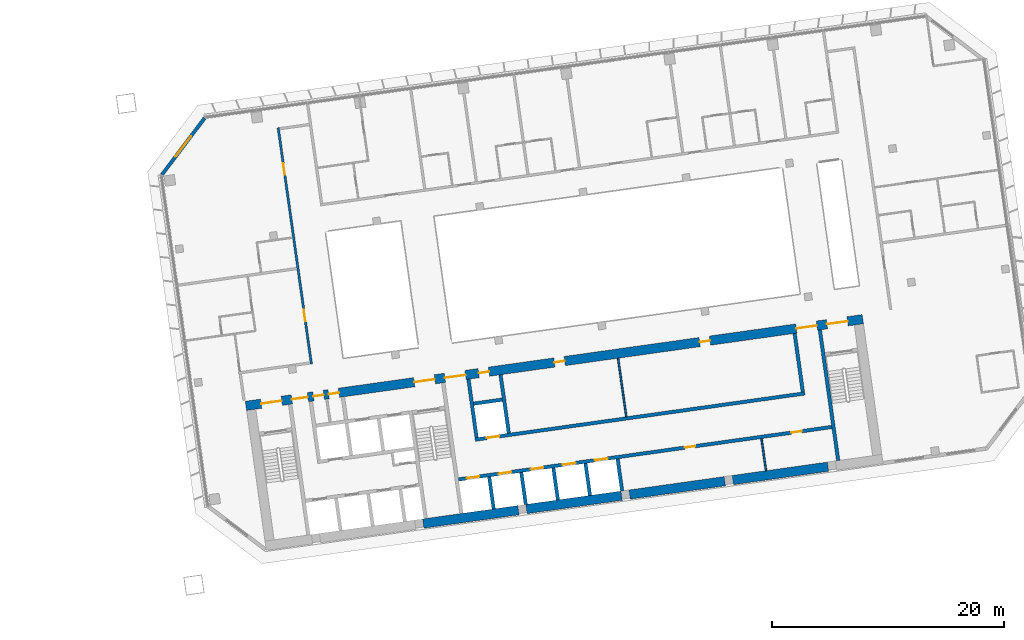
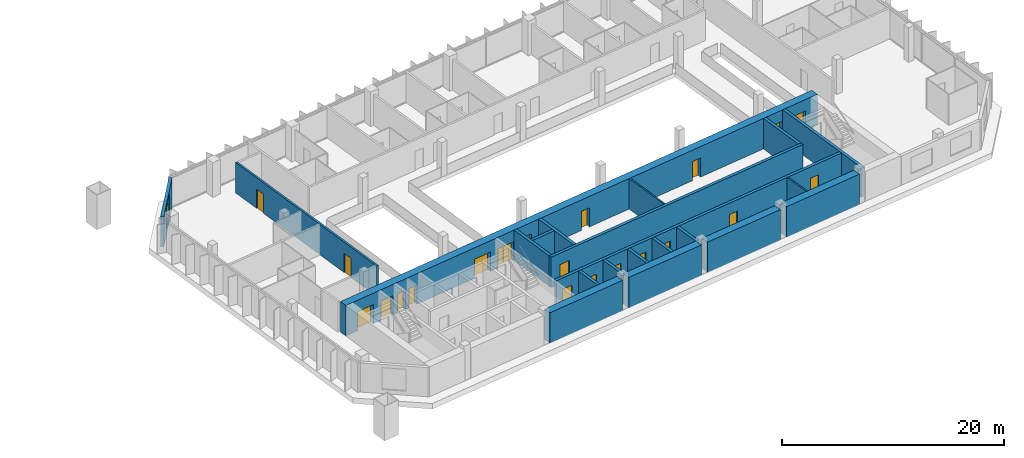
# One storey, part 19 of 24: 21 doors, 21 walls, 1 window, 22 openings.
"""IFC4 building model written with IfcOpenShell, lengths in metres."""

from ifc_helpers import new_model, si_unit, direction, frame, frame_2d, origin, place, context, subcontext, project, spatial, rectangle, extrude, material, layer, layer_set, type_object, element, fill, save


model = new_model("IFC4")

# Units and contexts
model_context = context("Model", 3, precision=1e-05, world=origin(), true_north=direction((0.0, 1.0)))
body_context = subcontext(model_context, "Body", "Model", "MODEL_VIEW")
ifc_project = project(units=[si_unit("LENGTHUNIT", "METRE"), si_unit("AREAUNIT", "SQUARE_METRE"), si_unit("VOLUMEUNIT", "CUBIC_METRE"), si_unit("PLANEANGLEUNIT", "RADIAN"), si_unit("MASSUNIT", "GRAM", prefix="KILO")], contexts=[model_context])

# Site, building, storey
site_placement = place(None, origin())
site = spatial("IfcSite", under=ifc_project, at=site_placement, CompositionType="ELEMENT")
building_placement = place(site_placement, origin())
building = spatial("IfcBuilding", under=site, at=building_placement, Name="Mirante Cascada Hotel Towers", CompositionType="ELEMENT")
storey_placement = place(building_placement, frame((0.0, 0.0, 132.9)))
storey = spatial("IfcBuildingStorey", under=building, at=storey_placement, Name="L30", CompositionType="ELEMENT", Elevation=132.9)

# Wall, openings, doors
ifc_material_1 = material(Name="Fire-rated plasterboard on metal studs")
ifc_layer_1 = layer(ifc_material_1, 0.2)
ifc_layer_set_1 = layer_set([ifc_layer_1], Name="Compartment wall 200 EI 120")
wall_type_1 = type_object("IfcWallType", Name="Compartment wall 200 EI 120", PredefinedType="PARTITIONING", material=ifc_layer_set_1)
wall_1_placement = place(storey_placement, frame((41.083, -3.9768, 0.0), z_axis=(0.0, 0.0, 1.0), x_axis=(-0.1391749, 0.9902678, 0.0)))
wall_1 = element("IfcWall", 1, at=wall_1_placement, inside=storey, type_object=wall_type_1, Name="Wall 2-L30-27", PredefinedType="PARTITIONING", context=body_context, shape_type="SweptSolid", body=[
    extrude(rectangle(XDim=20.6, YDim=0.2, at=frame_2d((10.3, 0.0))), origin(), (0.0, 0.0, 1.0), 3.35),
])
opening_1_placement = place(wall_1_placement, frame((3.7167, 0.0, 0.0)))
opening_1 = element("IfcOpeningElement", 2, at=opening_1_placement, cuts=wall_1, Name="Opening D2-L30-22", PredefinedType="OPENING", context=body_context, shape_type="SweptSolid", body=[
    extrude(rectangle(XDim=1.0, YDim=2.1, at=frame_2d((0.5, 1.05))), frame((0.0, 0.1, 0.0), z_axis=(0.0, -1.0, 0.0), x_axis=(1.0, 0.0, 0.0)), (0.0, 0.0, 1.0), 0.2),
])
opening_2_placement = place(wall_1_placement, frame((16.5, 0.0, 0.0)))
opening_2 = element("IfcOpeningElement", 3, at=opening_2_placement, cuts=wall_1, Name="Opening D2-L30-23", PredefinedType="OPENING", context=body_context, shape_type="SweptSolid", body=[
    extrude(rectangle(XDim=1.0, YDim=2.1, at=frame_2d((0.5, 1.05))), frame((0.0, 0.1, 0.0), z_axis=(0.0, -1.0, 0.0), x_axis=(1.0, 0.0, 0.0)), (0.0, 0.0, 1.0), 0.2),
])
ifc_material_2 = material(Name="Fire-rated timber door leaf", Category="wood")
door_type_1 = type_object("IfcDoorType", Name="Entrance door DG1 1000x2100 EI 60", OperationType="SINGLE_SWING_LEFT", PredefinedType="DOOR", material=ifc_material_2)
door_1_placement = place(opening_1_placement, origin())
door_1 = element("IfcDoor", 4, at=door_1_placement, inside=storey, type_object=door_type_1, Name="Door D2-L30-22", OperationType="SINGLE_SWING_LEFT", OverallHeight=2.1, OverallWidth=1.0, PredefinedType="DOOR", context=body_context, shape_type="SweptSolid", body=[
    extrude(rectangle(XDim=1.0, YDim=2.1, at=frame_2d((0.5, 1.05))), frame((0.0, 0.025, 0.0), z_axis=(0.0, -1.0, 0.0), x_axis=(1.0, 0.0, 0.0)), (0.0, 0.0, 1.0), 0.05),
])
fill(opening_1, door_1)
door_2_placement = place(opening_2_placement, origin())
door_2 = element("IfcDoor", 5, at=door_2_placement, inside=storey, type_object=door_type_1, Name="Door D2-L30-23", OperationType="SINGLE_SWING_LEFT", OverallHeight=2.1, OverallWidth=1.0, PredefinedType="DOOR", context=body_context, shape_type="SweptSolid", body=[
    extrude(rectangle(XDim=1.0, YDim=2.1, at=frame_2d((0.5, 1.05))), frame((0.0, 0.025, 0.0), z_axis=(0.0, -1.0, 0.0), x_axis=(1.0, 0.0, 0.0)), (0.0, 0.0, 1.0), 0.05),
])
fill(opening_2, door_2)

# Walls
ifc_material_3 = material(Name="Masonry block", Category="masonry")
ifc_layer_2 = layer(ifc_material_3, 0.15)
ifc_layer_set_2 = layer_set([ifc_layer_2], Name="Core room partition 150 block EI 30")
wall_type_2 = type_object("IfcWallType", Name="Core room partition 150 block EI 30", PredefinedType="PARTITIONING", material=ifc_layer_set_2)
wall_2_placement = place(storey_placement, frame((80.349, -13.2018, 0.0), z_axis=(0.0, 0.0, 1.0), x_axis=(-0.139176, 0.9902677, 0.0)))
element("IfcWall", 6, at=wall_2_placement, inside=storey, type_object=wall_type_2, Name="Core wall partition T2 L30 5", PredefinedType="PARTITIONING", context=body_context, shape_type="SweptSolid", body=[
    extrude(rectangle(XDim=2.8001, YDim=0.15, at=frame_2d((1.4, 0.0))), origin(), (0.0, 0.0, 1.0), 3.35),
])
wall_3_placement = place(storey_placement, frame((68.2822, -8.5358, 0.0), z_axis=(0.0, 0.0, 1.0), x_axis=(-0.1391755, 0.9902677, 0.0)))
element("IfcWall", 7, at=wall_3_placement, inside=storey, type_object=wall_type_2, Name="Core wall partition T2 L30 6", PredefinedType="PARTITIONING", context=body_context, shape_type="SweptSolid", body=[
    extrude(rectangle(XDim=5.1, YDim=0.15, at=frame_2d((2.55, 0.0))), origin(), (0.0, 0.0, 1.0), 3.35),
])

# Wall, opening, window
ifc_material_4 = material(Name="Precast concrete C40/50", Category="concrete")
ifc_layer_3 = layer(ifc_material_4, 0.3)
ifc_layer_set_3 = layer_set([ifc_layer_3], Name="Precast concrete C40/50 cladding wall 300")
wall_type_3 = type_object("IfcWallType", Name="Precast concrete C40/50 cladding wall 300", PredefinedType="STANDARD", material=ifc_layer_set_3)
wall_4_placement = place(storey_placement, frame((31.857, 17.252, 0.0), z_axis=(0.0, 0.0, 1.0), x_axis=(-0.6018141, -0.7986362, 0.0)))
wall_4 = element("IfcWall", 8, at=wall_4_placement, inside=storey, type_object=wall_type_3, Name="Corner cladding wall T2 L30 front inner", PredefinedType="STANDARD", context=body_context, shape_type="SweptSolid", body=[
    extrude(rectangle(XDim=6.1157, YDim=0.3, at=frame_2d((3.0578, 0.0))), origin(), (0.0, 0.0, 1.0), 3.35),
])
opening_3_placement = place(wall_4_placement, frame((1.9578, 0.0, 0.6)))
opening_3 = element("IfcOpeningElement", 9, at=opening_3_placement, cuts=wall_4, Name="Opening W2-30-05", PredefinedType="OPENING", context=body_context, shape_type="SweptSolid", body=[
    extrude(rectangle(XDim=2.2, YDim=2.4, at=frame_2d((1.1, 1.2))), frame((0.0, 0.15, 0.0), z_axis=(0.0, -1.0, 0.0), x_axis=(1.0, 0.0, 0.0)), (0.0, 0.0, 1.0), 0.3),
])
ifc_material_5 = material(Name="Aluminium frame with clear double glazing", Category="aluminium")
window_type = type_object("IfcWindowType", Name="Corner suite window 2200x2400", PartitioningType="DOUBLE_PANEL_VERTICAL", PredefinedType="WINDOW", material=ifc_material_5)
window_placement = place(opening_3_placement, origin())
window = element("IfcWindow", 10, at=window_placement, inside=storey, type_object=window_type, Name="Window W2-30-05", OverallHeight=2.4, OverallWidth=2.2, PartitioningType="SINGLE_PANEL", PredefinedType="WINDOW", context=body_context, shape_type="SweptSolid", body=[
    extrude(rectangle(XDim=2.2, YDim=2.4, at=frame_2d((1.1, 1.2))), frame((0.0, 0.03, 0.0), z_axis=(0.0, -1.0, 0.0), x_axis=(1.0, 0.0, 0.0)), (0.0, 0.0, 1.0), 0.06),
])
fill(opening_3, window)

# Wall
ifc_material_6 = material(Name="Concrete C50/60", Category="concrete")
ifc_layer_4 = layer(ifc_material_6, 0.3)
ifc_layer_set_4 = layer_set([ifc_layer_4], Name="RC core wall 300 C50/60")
wall_type_4 = type_object("IfcWallType", Name="RC core wall 300 C50/60", PredefinedType="SHEAR", material=ifc_layer_set_4)
wall_5_placement = place(storey_placement, frame((86.5877, -12.325, 0.0), z_axis=(0.0, 0.0, 1.0), x_axis=(-0.1391749, 0.9902678, 0.0)))
element("IfcWall", 11, at=wall_5_placement, inside=storey, type_object=wall_type_4, Name="Core wall T2:L30:8", PredefinedType="SHEAR", context=body_context, shape_type="SweptSolid", body=[
    extrude(rectangle(XDim=11.4, YDim=0.3, at=frame_2d((5.7, 0.0))), origin(), (0.0, 0.0, 1.0), 3.35),
])

# Wall, openings, doors
wall_6_placement = place(storey_placement, frame((53.7953, -13.9547, 0.0), z_axis=(0.0, 0.0, 1.0), x_axis=(0.990268, 0.1391733, 0.0)))
wall_6 = element("IfcWall", 12, at=wall_6_placement, inside=storey, type_object=wall_type_4, Name="Core wall T2:L30:25", PredefinedType="SHEAR", context=body_context, shape_type="SweptSolid", body=[
    extrude(rectangle(XDim=32.5501, YDim=0.3, at=frame_2d((16.275, 0.0))), origin(), (0.0, 0.0, 1.0), 3.35),
])
opening_4_placement = place(wall_6_placement, frame((0.7, 0.0, 0.0)))
opening_4 = element("IfcOpeningElement", 13, at=opening_4_placement, cuts=wall_6, Name="Opening LD", PredefinedType="OPENING", context=body_context, shape_type="SweptSolid", body=[
    extrude(rectangle(XDim=1.1, YDim=2.1, at=frame_2d((0.55, 1.05))), frame((0.0, 0.15, 0.0), z_axis=(0.0, -1.0, 0.0), x_axis=(1.0, 0.0, 0.0)), (0.0, 0.0, 1.0), 0.3),
])
opening_5_placement = place(wall_6_placement, frame((3.5, 0.0, 0.0)))
opening_5 = element("IfcOpeningElement", 14, at=opening_5_placement, cuts=wall_6, Name="Opening LD", PredefinedType="OPENING", context=body_context, shape_type="SweptSolid", body=[
    extrude(rectangle(XDim=1.1, YDim=2.1, at=frame_2d((0.55, 1.05))), frame((0.0, 0.15, 0.0), z_axis=(0.0, -1.0, 0.0), x_axis=(1.0, 0.0, 0.0)), (0.0, 0.0, 1.0), 0.3),
])
opening_6_placement = place(wall_6_placement, frame((6.3, 0.0, 0.0)))
opening_6 = element("IfcOpeningElement", 15, at=opening_6_placement, cuts=wall_6, Name="Opening LD", PredefinedType="OPENING", context=body_context, shape_type="SweptSolid", body=[
    extrude(rectangle(XDim=1.1, YDim=2.1, at=frame_2d((0.55, 1.05))), frame((0.0, 0.15, 0.0), z_axis=(0.0, -1.0, 0.0), x_axis=(1.0, 0.0, 0.0)), (0.0, 0.0, 1.0), 0.3),
])
opening_7_placement = place(wall_6_placement, frame((9.1, 0.0, 0.0)))
opening_7 = element("IfcOpeningElement", 16, at=opening_7_placement, cuts=wall_6, Name="Opening LD", PredefinedType="OPENING", context=body_context, shape_type="SweptSolid", body=[
    extrude(rectangle(XDim=1.1, YDim=2.1, at=frame_2d((0.55, 1.05))), frame((0.0, 0.15, 0.0), z_axis=(0.0, -1.0, 0.0), x_axis=(1.0, 0.0, 0.0)), (0.0, 0.0, 1.0), 0.3),
])
opening_8_placement = place(wall_6_placement, frame((11.9, 0.0, 0.0)))
opening_8 = element("IfcOpeningElement", 17, at=opening_8_placement, cuts=wall_6, Name="Opening LD", PredefinedType="OPENING", context=body_context, shape_type="SweptSolid", body=[
    extrude(rectangle(XDim=1.1, YDim=2.1, at=frame_2d((0.55, 1.05))), frame((0.0, 0.15, 0.0), z_axis=(0.0, -1.0, 0.0), x_axis=(1.0, 0.0, 0.0)), (0.0, 0.0, 1.0), 0.3),
])
opening_9_placement = place(wall_6_placement, frame((19.75, 0.0, 0.0)))
opening_9 = element("IfcOpeningElement", 18, at=opening_9_placement, cuts=wall_6, Name="Opening D2-30-C26", PredefinedType="OPENING", context=body_context, shape_type="SweptSolid", body=[
    extrude(rectangle(XDim=0.9, YDim=2.1, at=frame_2d((0.45, 1.05))), frame((0.0, 0.15, 0.0), z_axis=(0.0, -1.0, 0.0), x_axis=(1.0, 0.0, 0.0)), (0.0, 0.0, 1.0), 0.3),
])
opening_10_placement = place(wall_6_placement, frame((29.025, 0.0, 0.0)))
opening_10 = element("IfcOpeningElement", 19, at=opening_10_placement, cuts=wall_6, Name="Opening D2-30-C27", PredefinedType="OPENING", context=body_context, shape_type="SweptSolid", body=[
    extrude(rectangle(XDim=0.9, YDim=2.1, at=frame_2d((0.45, 1.05))), frame((0.0, 0.15, 0.0), z_axis=(0.0, -1.0, 0.0), x_axis=(1.0, 0.0, 0.0)), (0.0, 0.0, 1.0), 0.3),
])
ifc_material_7 = material(Name="Hollow metal fire door leaf")
door_type_2 = type_object("IfcDoorType", Name="Fire door 900x2100 FD60", OperationType="NOTDEFINED", PredefinedType="DOOR", material=ifc_material_7)
door_3_placement = place(opening_9_placement, frame((0.9, 0.0, 0.0), z_axis=(0.0, 0.0, 1.0), x_axis=(-1.0, 0.0, 0.0)))
door_3 = element("IfcDoor", 20, at=door_3_placement, inside=storey, type_object=door_type_2, Name="Room door T2 L30 26", OperationType="SINGLE_SWING_RIGHT", OverallHeight=2.1, OverallWidth=0.9, PredefinedType="DOOR", context=body_context, shape_type="SweptSolid", body=[
    extrude(rectangle(XDim=0.9, YDim=2.1, at=frame_2d((0.45, 1.05))), frame((0.0, 0.025, 0.0), z_axis=(0.0, -1.0, 0.0), x_axis=(1.0, 0.0, 0.0)), (0.0, 0.0, 1.0), 0.05),
])
fill(opening_9, door_3)
door_4_placement = place(opening_10_placement, frame((0.9, 0.0, 0.0), z_axis=(0.0, 0.0, 1.0), x_axis=(-1.0, 0.0, 0.0)))
door_4 = element("IfcDoor", 21, at=door_4_placement, inside=storey, type_object=door_type_2, Name="Room door T2 L30 27", OperationType="SINGLE_SWING_RIGHT", OverallHeight=2.1, OverallWidth=0.9, PredefinedType="DOOR", context=body_context, shape_type="SweptSolid", body=[
    extrude(rectangle(XDim=0.9, YDim=2.1, at=frame_2d((0.45, 1.05))), frame((0.0, 0.025, 0.0), z_axis=(0.0, -1.0, 0.0), x_axis=(1.0, 0.0, 0.0)), (0.0, 0.0, 1.0), 0.05),
])
fill(opening_10, door_4)
ifc_material_8 = material(Name="Stainless steel", Category="steel")
door_type_3 = type_object("IfcDoorType", Name="Lift landing door 1100x2100 EI 120", OperationType="DOUBLE_DOOR_SLIDING", PredefinedType="DOOR", material=ifc_material_8)
door_5_placement = place(opening_4_placement, origin())
door_5 = element("IfcDoor", 22, at=door_5_placement, inside=storey, type_object=door_type_3, Name="Lift landing door LR2-1 L30", OperationType="DOUBLE_DOOR_SLIDING", OverallHeight=2.1, OverallWidth=1.1, PredefinedType="DOOR", context=body_context, shape_type="SweptSolid", body=[
    extrude(rectangle(XDim=0.545, YDim=2.1, at=frame_2d((0.2725, 1.05))), frame((0.0, 0.025, 0.0), z_axis=(0.0, -1.0, 0.0), x_axis=(1.0, 0.0, 0.0)), (0.0, 0.0, 1.0), 0.05),
    extrude(rectangle(XDim=0.545, YDim=2.1, at=frame_2d((0.8275, 1.05))), frame((0.0, 0.025, 0.0), z_axis=(0.0, -1.0, 0.0), x_axis=(1.0, 0.0, 0.0)), (0.0, 0.0, 1.0), 0.05),
])
fill(opening_4, door_5)
door_6_placement = place(opening_5_placement, origin())
door_6 = element("IfcDoor", 23, at=door_6_placement, inside=storey, type_object=door_type_3, Name="Lift landing door LR2-2 L30", OperationType="DOUBLE_DOOR_SLIDING", OverallHeight=2.1, OverallWidth=1.1, PredefinedType="DOOR", context=body_context, shape_type="SweptSolid", body=[
    extrude(rectangle(XDim=0.545, YDim=2.1, at=frame_2d((0.2725, 1.05))), frame((0.0, 0.025, 0.0), z_axis=(0.0, -1.0, 0.0), x_axis=(1.0, 0.0, 0.0)), (0.0, 0.0, 1.0), 0.05),
    extrude(rectangle(XDim=0.545, YDim=2.1, at=frame_2d((0.8275, 1.05))), frame((0.0, 0.025, 0.0), z_axis=(0.0, -1.0, 0.0), x_axis=(1.0, 0.0, 0.0)), (0.0, 0.0, 1.0), 0.05),
])
fill(opening_5, door_6)
door_7_placement = place(opening_6_placement, origin())
door_7 = element("IfcDoor", 24, at=door_7_placement, inside=storey, type_object=door_type_3, Name="Lift landing door SV2-1 L30", OperationType="DOUBLE_DOOR_SLIDING", OverallHeight=2.1, OverallWidth=1.1, PredefinedType="DOOR", context=body_context, shape_type="SweptSolid", body=[
    extrude(rectangle(XDim=0.545, YDim=2.1, at=frame_2d((0.2725, 1.05))), frame((0.0, 0.025, 0.0), z_axis=(0.0, -1.0, 0.0), x_axis=(1.0, 0.0, 0.0)), (0.0, 0.0, 1.0), 0.05),
    extrude(rectangle(XDim=0.545, YDim=2.1, at=frame_2d((0.8275, 1.05))), frame((0.0, 0.025, 0.0), z_axis=(0.0, -1.0, 0.0), x_axis=(1.0, 0.0, 0.0)), (0.0, 0.0, 1.0), 0.05),
])
fill(opening_6, door_7)
door_8_placement = place(opening_7_placement, origin())
door_8 = element("IfcDoor", 25, at=door_8_placement, inside=storey, type_object=door_type_3, Name="Lift landing door SV2-2 L30", OperationType="DOUBLE_DOOR_SLIDING", OverallHeight=2.1, OverallWidth=1.1, PredefinedType="DOOR", context=body_context, shape_type="SweptSolid", body=[
    extrude(rectangle(XDim=0.545, YDim=2.1, at=frame_2d((0.2725, 1.05))), frame((0.0, 0.025, 0.0), z_axis=(0.0, -1.0, 0.0), x_axis=(1.0, 0.0, 0.0)), (0.0, 0.0, 1.0), 0.05),
    extrude(rectangle(XDim=0.545, YDim=2.1, at=frame_2d((0.8275, 1.05))), frame((0.0, 0.025, 0.0), z_axis=(0.0, -1.0, 0.0), x_axis=(1.0, 0.0, 0.0)), (0.0, 0.0, 1.0), 0.05),
])
fill(opening_7, door_8)
door_9_placement = place(opening_8_placement, origin())
door_9 = element("IfcDoor", 26, at=door_9_placement, inside=storey, type_object=door_type_3, Name="Lift landing door SV2-3 L30", OperationType="DOUBLE_DOOR_SLIDING", OverallHeight=2.1, OverallWidth=1.1, PredefinedType="DOOR", context=body_context, shape_type="SweptSolid", body=[
    extrude(rectangle(XDim=0.545, YDim=2.1, at=frame_2d((0.2725, 1.05))), frame((0.0, 0.025, 0.0), z_axis=(0.0, -1.0, 0.0), x_axis=(1.0, 0.0, 0.0)), (0.0, 0.0, 1.0), 0.05),
    extrude(rectangle(XDim=0.545, YDim=2.1, at=frame_2d((0.8275, 1.05))), frame((0.0, 0.025, 0.0), z_axis=(0.0, -1.0, 0.0), x_axis=(1.0, 0.0, 0.0)), (0.0, 0.0, 1.0), 0.05),
])
fill(opening_8, door_9)

# Walls
for number, where, z_axis, x_axis, name in (
    (27, (56.8301, -16.5072, 0.0), (0.0, 0.0, 1.0), (-0.139176, 0.9902677, 0.0), "Core wall T2:L30:26"),
    (28, (59.6029, -16.1175, 0.0), (0.0, 0.0, 1.0), (-0.139176, 0.9902677, 0.0), "Core wall T2:L30:27"),
    (29, (62.3756, -15.7278, 0.0), (0.0, 0.0, 1.0), (-0.139176, 0.9902677, 0.0), "Core wall T2:L30:28"),
    (30, (65.1484, -15.3381, 0.0), (0.0, 0.0, 1.0), (-0.139176, 0.9902677, 0.0), "Core wall T2:L30:29"),
):
    element("IfcWall", number, at=place(storey_placement, frame(where, z_axis=z_axis, x_axis=x_axis)), inside=storey, type_object=wall_type_4, Name=name, PredefinedType="SHEAR", context=body_context, shape_type="SweptSolid", body=[
        extrude(rectangle(XDim=2.8001, YDim=0.3, at=frame_2d((1.4, 0.0))), origin(), (0.0, 0.0, 1.0), 3.35),
    ])
wall_7_placement = place(storey_placement, frame((67.9211, -14.9484, 0.0), z_axis=(0.0, 0.0, 1.0), x_axis=(-0.139181, 0.990267, 0.0)))
element("IfcWall", 31, at=wall_7_placement, inside=storey, type_object=wall_type_4, Name="Core wall T2:L30:30", PredefinedType="SHEAR", context=body_context, shape_type="SweptSolid", body=[
    extrude(rectangle(XDim=2.8, YDim=0.3, at=frame_2d((1.4, 0.0))), origin(), (0.0, 0.0, 1.0), 3.35),
])

# Wall, opening, door
wall_8_placement = place(storey_placement, frame((55.2315, -10.5214, 0.0), z_axis=(0.0, 0.0, 1.0), x_axis=(0.9902682, 0.1391722, 0.0)))
wall_8 = element("IfcWall", 32, at=wall_8_placement, inside=storey, type_object=wall_type_4, Name="Core wall T2:L30:32", PredefinedType="SHEAR", context=body_context, shape_type="SweptSolid", body=[
    extrude(rectangle(XDim=28.75, YDim=0.3, at=frame_2d((14.375, 0.0))), origin(), (0.0, 0.0, 1.0), 3.35),
])
opening_11_placement = place(wall_8_placement, frame((1.0, 0.0, 0.0)))
opening_11 = element("IfcOpeningElement", 33, at=opening_11_placement, cuts=wall_8, Name="Opening LD", PredefinedType="OPENING", context=body_context, shape_type="SweptSolid", body=[
    extrude(rectangle(XDim=1.1, YDim=2.1, at=frame_2d((0.55, 1.05))), frame((0.0, 0.15, 0.0), z_axis=(0.0, -1.0, 0.0), x_axis=(1.0, 0.0, 0.0)), (0.0, 0.0, 1.0), 0.3),
])
door_10_placement = place(opening_11_placement, origin())
door_10 = element("IfcDoor", 34, at=door_10_placement, inside=storey, type_object=door_type_3, Name="Lift landing door LR2-3 L30", OperationType="DOUBLE_DOOR_SLIDING", OverallHeight=2.1, OverallWidth=1.1, PredefinedType="DOOR", context=body_context, shape_type="SweptSolid", body=[
    extrude(rectangle(XDim=0.545, YDim=2.1, at=frame_2d((0.2725, 1.05))), frame((0.0, 0.025, 0.0), z_axis=(0.0, -1.0, 0.0), x_axis=(1.0, 0.0, 0.0)), (0.0, 0.0, 1.0), 0.05),
    extrude(rectangle(XDim=0.545, YDim=2.1, at=frame_2d((0.8275, 1.05))), frame((0.0, 0.025, 0.0), z_axis=(0.0, -1.0, 0.0), x_axis=(1.0, 0.0, 0.0)), (0.0, 0.0, 1.0), 0.05),
])
fill(opening_11, door_10)

# Walls
for number, where, z_axis, x_axis, name in (
    (35, (55.3592, -10.352, 0.0), (0.0, 0.0, 1.0), (-0.1391755, 0.9902677, 0.0), "Core wall T2:L30:33"),
    (36, (83.5323, -6.3925, 0.0), (0.0, 0.0, 1.0), (-0.1391755, 0.9902677, 0.0), "Core wall T2:L30:34"),
    (37, (58.1319, -9.9623, 0.0), (0.0, 0.0, 1.0), (-0.1391755, 0.9902677, 0.0), "Core wall T2:L30:35"),
):
    element("IfcWall", number, at=place(storey_placement, frame(where, z_axis=z_axis, x_axis=x_axis)), inside=storey, type_object=wall_type_4, Name=name, PredefinedType="SHEAR", context=body_context, shape_type="SweptSolid", body=[
        extrude(rectangle(XDim=5.1, YDim=0.3, at=frame_2d((2.55, 0.0))), origin(), (0.0, 0.0, 1.0), 3.35),
    ])
wall_9_placement = place(storey_placement, frame((55.0971, -7.4098, 0.0), z_axis=(0.0, 0.0, 1.0), x_axis=(0.9902701, 0.1391586, 0.0)))
element("IfcWall", 38, at=wall_9_placement, inside=storey, type_object=wall_type_4, Name="Core wall T2:L30:36", PredefinedType="SHEAR", context=body_context, shape_type="SweptSolid", body=[
    extrude(rectangle(XDim=2.5, YDim=0.3, at=frame_2d((1.25, 0.0))), origin(), (0.0, 0.0, 1.0), 3.35),
])
ifc_material_9 = material(Name="Concrete C50/60", Category="concrete")
ifc_layer_5 = layer(ifc_material_9, 0.8)
ifc_layer_set_5 = layer_set([ifc_layer_5], Name="RC core wall 800 C50/60")
wall_type_5 = type_object("IfcWallType", Name="RC core wall 800 C50/60", PredefinedType="SHEAR", material=ifc_layer_set_5)
wall_10_placement = place(storey_placement, frame((50.7461, -17.7661, 0.0), z_axis=(0.0, 0.0, 1.0), x_axis=(0.9902686, 0.1391692, 0.0)))
element("IfcWall", 39, at=wall_10_placement, inside=storey, type_object=wall_type_5, Name="Core wall T2:L30:1.3", PredefinedType="SHEAR", context=body_context, shape_type="SweptSolid", body=[
    extrude(rectangle(XDim=8.3, YDim=0.8, at=frame_2d((4.15, 0.0))), origin(), (0.0, 0.0, 1.0), 3.35),
])
for number, where, z_axis, x_axis, name in (
    (40, (59.6585, -16.5136, 0.0), (0.0, 0.0, 1.0), (0.9902672, 0.1391793, 0.0), "Core wall T2:L30:1.4"),
    (41, (68.5709, -15.261, 0.0), (0.0, 0.0, 1.0), (0.9902689, 0.1391675, 0.0), "Core wall T2:L30:1.5"),
):
    element("IfcWall", number, at=place(storey_placement, frame(where, z_axis=z_axis, x_axis=x_axis)), inside=storey, type_object=wall_type_5, Name=name, PredefinedType="SHEAR", context=body_context, shape_type="SweptSolid", body=[
        extrude(rectangle(XDim=8.3001, YDim=0.8, at=frame_2d((4.15, 0.0))), origin(), (0.0, 0.0, 1.0), 3.35),
    ])
wall_11_placement = place(storey_placement, frame((77.4834, -14.0085, 0.0), z_axis=(0.0, 0.0, 1.0), x_axis=(0.990267, 0.139181, 0.0)))
element("IfcWall", 42, at=wall_11_placement, inside=storey, type_object=wall_type_5, Name="Core wall T2:L30:1.6", PredefinedType="SHEAR", context=body_context, shape_type="SweptSolid", body=[
    extrude(rectangle(XDim=8.3, YDim=0.8, at=frame_2d((4.15, 0.0))), origin(), (0.0, 0.0, 1.0), 3.35),
])

# Wall, openings, doors
wall_12_placement = place(storey_placement, frame((35.432, -7.5985, 0.0), z_axis=(0.0, 0.0, 1.0), x_axis=(0.9902681, 0.1391729, 0.0)))
wall_12 = element("IfcWall", 43, at=wall_12_placement, inside=storey, type_object=wall_type_5, Name="Core wall T2:L30:2", PredefinedType="SHEAR", context=body_context, shape_type="SweptSolid", body=[
    extrude(rectangle(XDim=53.8, YDim=0.8, at=frame_2d((26.9, 0.0))), origin(), (0.0, 0.0, 1.0), 3.35),
])
opening_12_placement = place(wall_12_placement, frame((1.325, 0.0, 0.0)))
opening_12 = element("IfcOpeningElement", 44, at=opening_12_placement, cuts=wall_12, Name="Opening D2-30-C14", PredefinedType="OPENING", context=body_context, shape_type="SweptSolid", body=[
    extrude(rectangle(XDim=1.8, YDim=2.1, at=frame_2d((0.9, 1.05))), frame((0.0, 0.4, 0.0), z_axis=(0.0, -1.0, 0.0), x_axis=(1.0, 0.0, 0.0)), (0.0, 0.0, 1.0), 0.8),
])
opening_13_placement = place(wall_12_placement, frame((14.675, 0.0, 0.0)))
opening_13 = element("IfcOpeningElement", 45, at=opening_13_placement, cuts=wall_12, Name="Opening D2-30-C16", PredefinedType="OPENING", context=body_context, shape_type="SweptSolid", body=[
    extrude(rectangle(XDim=1.8, YDim=2.1, at=frame_2d((0.9, 1.05))), frame((0.0, 0.4, 0.0), z_axis=(0.0, -1.0, 0.0), x_axis=(1.0, 0.0, 0.0)), (0.0, 0.0, 1.0), 0.8),
])
opening_14_placement = place(wall_12_placement, frame((50.675, 0.0, 0.0)))
opening_14 = element("IfcOpeningElement", 46, at=opening_14_placement, cuts=wall_12, Name="Opening D2-30-C18", PredefinedType="OPENING", context=body_context, shape_type="SweptSolid", body=[
    extrude(rectangle(XDim=1.8, YDim=2.1, at=frame_2d((0.9, 1.05))), frame((0.0, 0.4, 0.0), z_axis=(0.0, -1.0, 0.0), x_axis=(1.0, 0.0, 0.0)), (0.0, 0.0, 1.0), 0.8),
])
opening_15_placement = place(wall_12_placement, frame((4.0, 0.0, 0.0)))
opening_15 = element("IfcOpeningElement", 47, at=opening_15_placement, cuts=wall_12, Name="Opening D2-30-C19", PredefinedType="OPENING", context=body_context, shape_type="SweptSolid", body=[
    extrude(rectangle(XDim=1.4, YDim=2.1, at=frame_2d((0.7, 1.05))), frame((0.0, 0.4, 0.0), z_axis=(0.0, -1.0, 0.0), x_axis=(1.0, 0.0, 0.0)), (0.0, 0.0, 1.0), 0.8),
])
opening_16_placement = place(wall_12_placement, frame((17.35, 0.0, 0.0)))
opening_16 = element("IfcOpeningElement", 48, at=opening_16_placement, cuts=wall_12, Name="Opening D2-30-C20", PredefinedType="OPENING", context=body_context, shape_type="SweptSolid", body=[
    extrude(rectangle(XDim=1.8, YDim=2.1, at=frame_2d((0.9, 1.05))), frame((0.0, 0.4, 0.0), z_axis=(0.0, -1.0, 0.0), x_axis=(1.0, 0.0, 0.0)), (0.0, 0.0, 1.0), 0.8),
])
opening_17_placement = place(wall_12_placement, frame((48.0, 0.0, 0.0)))
opening_17 = element("IfcOpeningElement", 49, at=opening_17_placement, cuts=wall_12, Name="Opening D2-30-C21", PredefinedType="OPENING", context=body_context, shape_type="SweptSolid", body=[
    extrude(rectangle(XDim=1.8, YDim=2.1, at=frame_2d((0.9, 1.05))), frame((0.0, 0.4, 0.0), z_axis=(0.0, -1.0, 0.0), x_axis=(1.0, 0.0, 0.0)), (0.0, 0.0, 1.0), 0.8),
])
opening_18_placement = place(wall_12_placement, frame((5.8875, 0.0, 0.0)))
opening_18 = element("IfcOpeningElement", 50, at=opening_18_placement, cuts=wall_12, Name="Opening D2-30-C24", PredefinedType="OPENING", context=body_context, shape_type="SweptSolid", body=[
    extrude(rectangle(XDim=0.9, YDim=2.1, at=frame_2d((0.45, 1.05))), frame((0.0, 0.4, 0.0), z_axis=(0.0, -1.0, 0.0), x_axis=(1.0, 0.0, 0.0)), (0.0, 0.0, 1.0), 0.8),
])
opening_19_placement = place(wall_12_placement, frame((7.2125, 0.0, 0.0)))
opening_19 = element("IfcOpeningElement", 51, at=opening_19_placement, cuts=wall_12, Name="Opening D2-30-C25", PredefinedType="OPENING", context=body_context, shape_type="SweptSolid", body=[
    extrude(rectangle(XDim=0.9, YDim=2.1, at=frame_2d((0.45, 1.05))), frame((0.0, 0.4, 0.0), z_axis=(0.0, -1.0, 0.0), x_axis=(1.0, 0.0, 0.0)), (0.0, 0.0, 1.0), 0.8),
])
opening_20_placement = place(wall_12_placement, frame((20.3, 0.0, 0.0)))
opening_20 = element("IfcOpeningElement", 52, at=opening_20_placement, cuts=wall_12, Name="Opening D2-30-C28", PredefinedType="OPENING", context=body_context, shape_type="SweptSolid", body=[
    extrude(rectangle(XDim=0.9, YDim=2.1, at=frame_2d((0.45, 1.05))), frame((0.0, 0.4, 0.0), z_axis=(0.0, -1.0, 0.0), x_axis=(1.0, 0.0, 0.0)), (0.0, 0.0, 1.0), 0.8),
])
opening_21_placement = place(wall_12_placement, frame((26.9, 0.0, 0.0)))
opening_21 = element("IfcOpeningElement", 53, at=opening_21_placement, cuts=wall_12, Name="Opening D2-30-C29", PredefinedType="OPENING", context=body_context, shape_type="SweptSolid", body=[
    extrude(rectangle(XDim=0.9, YDim=2.1, at=frame_2d((0.45, 1.05))), frame((0.0, 0.4, 0.0), z_axis=(0.0, -1.0, 0.0), x_axis=(1.0, 0.0, 0.0)), (0.0, 0.0, 1.0), 0.8),
])
opening_22_placement = place(wall_12_placement, frame((39.575, 0.0, 0.0)))
opening_22 = element("IfcOpeningElement", 54, at=opening_22_placement, cuts=wall_12, Name="Opening D2-30-C30", PredefinedType="OPENING", context=body_context, shape_type="SweptSolid", body=[
    extrude(rectangle(XDim=0.9, YDim=2.1, at=frame_2d((0.45, 1.05))), frame((0.0, 0.4, 0.0), z_axis=(0.0, -1.0, 0.0), x_axis=(1.0, 0.0, 0.0)), (0.0, 0.0, 1.0), 0.8),
])
ifc_material_10 = material(Name="Hollow metal fire door leaf")
door_type_4 = type_object("IfcDoorType", Name="Double fire door 1400x2100 FD60", OperationType="DOUBLE_DOOR_SINGLE_SWING", PredefinedType="DOOR", material=ifc_material_10)
door_11_placement = place(opening_15_placement, origin())
door_11 = element("IfcDoor", 55, at=door_11_placement, inside=storey, type_object=door_type_4, Name="Exit door to gallery T2 L30 19", OperationType="DOUBLE_DOOR_SINGLE_SWING", OverallHeight=2.1, OverallWidth=1.4, PredefinedType="DOOR", context=body_context, shape_type="SweptSolid", body=[
    extrude(rectangle(XDim=0.695, YDim=2.1, at=frame_2d((0.3475, 1.05))), frame((0.0, 0.025, 0.0), z_axis=(0.0, -1.0, 0.0), x_axis=(1.0, 0.0, 0.0)), (0.0, 0.0, 1.0), 0.05),
    extrude(rectangle(XDim=0.695, YDim=2.1, at=frame_2d((1.0525, 1.05))), frame((0.0, 0.025, 0.0), z_axis=(0.0, -1.0, 0.0), x_axis=(1.0, 0.0, 0.0)), (0.0, 0.0, 1.0), 0.05),
])
fill(opening_15, door_11)
ifc_material_11 = material(Name="Hollow metal fire door leaf")
door_type_5 = type_object("IfcDoorType", Name="Double fire door 1800x2100 FD60", OperationType="DOUBLE_DOOR_SINGLE_SWING", PredefinedType="DOOR", material=ifc_material_11)
door_12_placement = place(opening_12_placement, frame((1.8, 0.0, 0.0), z_axis=(0.0, 0.0, 1.0), x_axis=(-1.0, 0.0, 0.0)))
door_12 = element("IfcDoor", 56, at=door_12_placement, inside=storey, type_object=door_type_5, Name="Exit door to gallery T2 L30 14", OperationType="DOUBLE_DOOR_SINGLE_SWING", OverallHeight=2.1, OverallWidth=1.8, PredefinedType="DOOR", context=body_context, shape_type="SweptSolid", body=[
    extrude(rectangle(XDim=0.895, YDim=2.1, at=frame_2d((0.4475, 1.05))), frame((0.0, 0.025, 0.0), z_axis=(0.0, -1.0, 0.0), x_axis=(1.0, 0.0, 0.0)), (0.0, 0.0, 1.0), 0.05),
    extrude(rectangle(XDim=0.895, YDim=2.1, at=frame_2d((1.3525, 1.05))), frame((0.0, 0.025, 0.0), z_axis=(0.0, -1.0, 0.0), x_axis=(1.0, 0.0, 0.0)), (0.0, 0.0, 1.0), 0.05),
])
fill(opening_12, door_12)
door_13_placement = place(opening_13_placement, frame((1.8, 0.0, 0.0), z_axis=(0.0, 0.0, 1.0), x_axis=(-1.0, 0.0, 0.0)))
door_13 = element("IfcDoor", 57, at=door_13_placement, inside=storey, type_object=door_type_5, Name="Exit door to gallery T2 L30 16", OperationType="DOUBLE_DOOR_SINGLE_SWING", OverallHeight=2.1, OverallWidth=1.8, PredefinedType="DOOR", context=body_context, shape_type="SweptSolid", body=[
    extrude(rectangle(XDim=0.895, YDim=2.1, at=frame_2d((0.4475, 1.05))), frame((0.0, 0.025, 0.0), z_axis=(0.0, -1.0, 0.0), x_axis=(1.0, 0.0, 0.0)), (0.0, 0.0, 1.0), 0.05),
    extrude(rectangle(XDim=0.895, YDim=2.1, at=frame_2d((1.3525, 1.05))), frame((0.0, 0.025, 0.0), z_axis=(0.0, -1.0, 0.0), x_axis=(1.0, 0.0, 0.0)), (0.0, 0.0, 1.0), 0.05),
])
fill(opening_13, door_13)
door_14_placement = place(opening_14_placement, frame((1.8, 0.0, 0.0), z_axis=(0.0, 0.0, 1.0), x_axis=(-1.0, 0.0, 0.0)))
door_14 = element("IfcDoor", 58, at=door_14_placement, inside=storey, type_object=door_type_5, Name="Exit door to gallery T2 L30 18", OperationType="DOUBLE_DOOR_SINGLE_SWING", OverallHeight=2.1, OverallWidth=1.8, PredefinedType="DOOR", context=body_context, shape_type="SweptSolid", body=[
    extrude(rectangle(XDim=0.895, YDim=2.1, at=frame_2d((0.4475, 1.05))), frame((0.0, 0.025, 0.0), z_axis=(0.0, -1.0, 0.0), x_axis=(1.0, 0.0, 0.0)), (0.0, 0.0, 1.0), 0.05),
    extrude(rectangle(XDim=0.895, YDim=2.1, at=frame_2d((1.3525, 1.05))), frame((0.0, 0.025, 0.0), z_axis=(0.0, -1.0, 0.0), x_axis=(1.0, 0.0, 0.0)), (0.0, 0.0, 1.0), 0.05),
])
fill(opening_14, door_14)
door_15_placement = place(opening_16_placement, origin())
door_15 = element("IfcDoor", 59, at=door_15_placement, inside=storey, type_object=door_type_5, Name="Exit door to gallery T2 L30 20", OperationType="DOUBLE_DOOR_SINGLE_SWING", OverallHeight=2.1, OverallWidth=1.8, PredefinedType="DOOR", context=body_context, shape_type="SweptSolid", body=[
    extrude(rectangle(XDim=0.895, YDim=2.1, at=frame_2d((0.4475, 1.05))), frame((0.0, 0.025, 0.0), z_axis=(0.0, -1.0, 0.0), x_axis=(1.0, 0.0, 0.0)), (0.0, 0.0, 1.0), 0.05),
    extrude(rectangle(XDim=0.895, YDim=2.1, at=frame_2d((1.3525, 1.05))), frame((0.0, 0.025, 0.0), z_axis=(0.0, -1.0, 0.0), x_axis=(1.0, 0.0, 0.0)), (0.0, 0.0, 1.0), 0.05),
])
fill(opening_16, door_15)
door_16_placement = place(opening_17_placement, origin())
door_16 = element("IfcDoor", 60, at=door_16_placement, inside=storey, type_object=door_type_5, Name="Exit door to gallery T2 L30 21", OperationType="DOUBLE_DOOR_SINGLE_SWING", OverallHeight=2.1, OverallWidth=1.8, PredefinedType="DOOR", context=body_context, shape_type="SweptSolid", body=[
    extrude(rectangle(XDim=0.895, YDim=2.1, at=frame_2d((0.4475, 1.05))), frame((0.0, 0.025, 0.0), z_axis=(0.0, -1.0, 0.0), x_axis=(1.0, 0.0, 0.0)), (0.0, 0.0, 1.0), 0.05),
    extrude(rectangle(XDim=0.895, YDim=2.1, at=frame_2d((1.3525, 1.05))), frame((0.0, 0.025, 0.0), z_axis=(0.0, -1.0, 0.0), x_axis=(1.0, 0.0, 0.0)), (0.0, 0.0, 1.0), 0.05),
])
fill(opening_17, door_16)
door_17_placement = place(opening_18_placement, frame((0.9, 0.0, 0.0), z_axis=(0.0, 0.0, 1.0), x_axis=(-1.0, 0.0, 0.0)))
door_17 = element("IfcDoor", 61, at=door_17_placement, inside=storey, type_object=door_type_2, Name="Room door T2 L30 24", OperationType="SINGLE_SWING_LEFT", OverallHeight=2.1, OverallWidth=0.9, PredefinedType="DOOR", context=body_context, shape_type="SweptSolid", body=[
    extrude(rectangle(XDim=0.9, YDim=2.1, at=frame_2d((0.45, 1.05))), frame((0.0, 0.025, 0.0), z_axis=(0.0, -1.0, 0.0), x_axis=(1.0, 0.0, 0.0)), (0.0, 0.0, 1.0), 0.05),
])
fill(opening_18, door_17)
door_18_placement = place(opening_19_placement, frame((0.9, 0.0, 0.0), z_axis=(0.0, 0.0, 1.0), x_axis=(-1.0, 0.0, 0.0)))
door_18 = element("IfcDoor", 62, at=door_18_placement, inside=storey, type_object=door_type_2, Name="Room door T2 L30 25", OperationType="SINGLE_SWING_LEFT", OverallHeight=2.1, OverallWidth=0.9, PredefinedType="DOOR", context=body_context, shape_type="SweptSolid", body=[
    extrude(rectangle(XDim=0.9, YDim=2.1, at=frame_2d((0.45, 1.05))), frame((0.0, 0.025, 0.0), z_axis=(0.0, -1.0, 0.0), x_axis=(1.0, 0.0, 0.0)), (0.0, 0.0, 1.0), 0.05),
])
fill(opening_19, door_18)
door_19_placement = place(opening_20_placement, frame((0.9, 0.0, 0.0), z_axis=(0.0, 0.0, 1.0), x_axis=(-1.0, 0.0, 0.0)))
door_19 = element("IfcDoor", 63, at=door_19_placement, inside=storey, type_object=door_type_2, Name="Room door T2 L30 28", OperationType="SINGLE_SWING_LEFT", OverallHeight=2.1, OverallWidth=0.9, PredefinedType="DOOR", context=body_context, shape_type="SweptSolid", body=[
    extrude(rectangle(XDim=0.9, YDim=2.1, at=frame_2d((0.45, 1.05))), frame((0.0, 0.025, 0.0), z_axis=(0.0, -1.0, 0.0), x_axis=(1.0, 0.0, 0.0)), (0.0, 0.0, 1.0), 0.05),
])
fill(opening_20, door_19)
door_20_placement = place(opening_21_placement, frame((0.9, 0.0, 0.0), z_axis=(0.0, 0.0, 1.0), x_axis=(-1.0, 0.0, 0.0)))
door_20 = element("IfcDoor", 64, at=door_20_placement, inside=storey, type_object=door_type_2, Name="Room door T2 L30 29", OperationType="SINGLE_SWING_RIGHT", OverallHeight=2.1, OverallWidth=0.9, PredefinedType="DOOR", context=body_context, shape_type="SweptSolid", body=[
    extrude(rectangle(XDim=0.9, YDim=2.1, at=frame_2d((0.45, 1.05))), frame((0.0, 0.025, 0.0), z_axis=(0.0, -1.0, 0.0), x_axis=(1.0, 0.0, 0.0)), (0.0, 0.0, 1.0), 0.05),
])
fill(opening_21, door_20)
door_21_placement = place(opening_22_placement, frame((0.9, 0.0, 0.0), z_axis=(0.0, 0.0, 1.0), x_axis=(-1.0, 0.0, 0.0)))
door_21 = element("IfcDoor", 65, at=door_21_placement, inside=storey, type_object=door_type_2, Name="Room door T2 L30 30", OperationType="SINGLE_SWING_RIGHT", OverallHeight=2.1, OverallWidth=0.9, PredefinedType="DOOR", context=body_context, shape_type="SweptSolid", body=[
    extrude(rectangle(XDim=0.9, YDim=2.1, at=frame_2d((0.45, 1.05))), frame((0.0, 0.025, 0.0), z_axis=(0.0, -1.0, 0.0), x_axis=(1.0, 0.0, 0.0)), (0.0, 0.0, 1.0), 0.05),
])
fill(opening_22, door_21)

save(model, "model.ifc")
